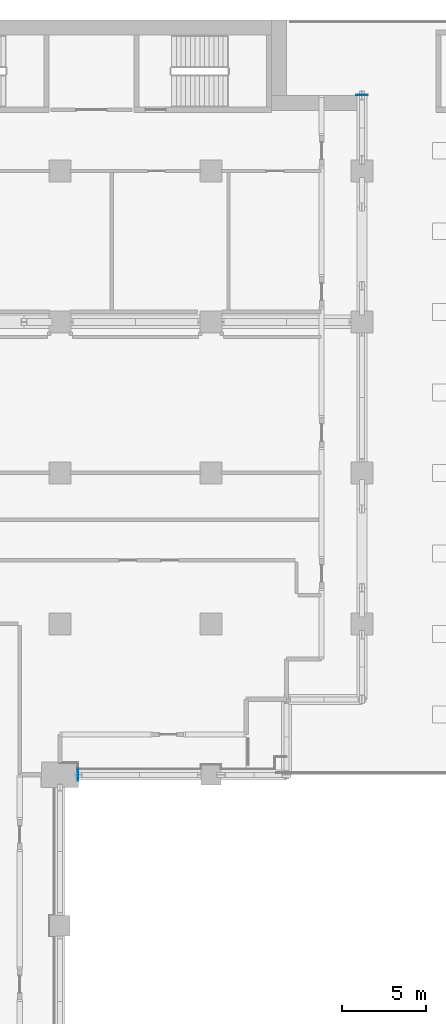
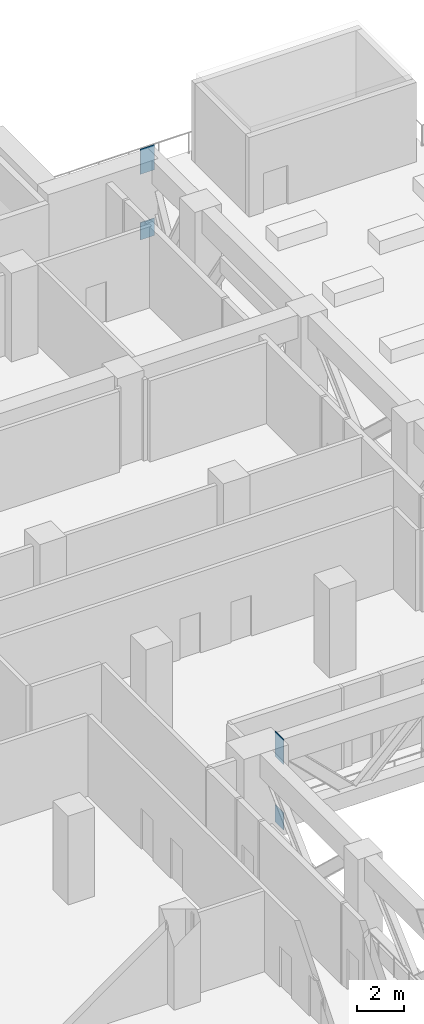
# One storey, part 17 of 22: 4 discrete accessories.
"""IFC4 building model written with IfcOpenShell, lengths in metres."""

from ifc_helpers import new_model, si_unit, direction, frame, origin, origin_2d, place, context, subcontext, project, spatial, rectangle, extrude, material, layer, layer_set, type_object, element, save


model = new_model("IFC4")

# Units and contexts
model_context = context("Model", 3, precision=1e-05, world=origin(), true_north=direction((0.0, 1.0)))
body_context = subcontext(model_context, "Body", "Model", "MODEL_VIEW")
ifc_project = project(units=[si_unit("LENGTHUNIT", "METRE"), si_unit("AREAUNIT", "SQUARE_METRE"), si_unit("VOLUMEUNIT", "CUBIC_METRE"), si_unit("PLANEANGLEUNIT", "RADIAN"), si_unit("MASSUNIT", "GRAM", prefix="KILO")], contexts=[model_context])

# Site, building, storey
site_placement = place(None, origin())
site = spatial("IfcSite", under=ifc_project, at=site_placement, CompositionType="ELEMENT")
building_placement = place(site_placement, origin())
building = spatial("IfcBuilding", under=site, at=building_placement, Name="Hunhe Ridgeline Campus", CompositionType="ELEMENT")
storey_placement = place(building_placement, frame((0.0, 0.0, 129.199951171875)))
storey = spatial("IfcBuildingStorey", under=building, at=storey_placement, Name="L32", CompositionType="ELEMENT", Elevation=129.199951171875)

# Discrete accessories
ifc_material = material(Name="Steel Q420", Category="steel")
ifc_layer_1 = layer(ifc_material, 0.030029296875)
ifc_layer_set_1 = layer_set([ifc_layer_1], Name="Gusset plate 700x1300x30 Steel Q420")
discrete_accessory_type_1 = type_object("IfcDiscreteAccessoryType", Name="Gusset plate 700x1300x30 Steel Q420", PredefinedType="BRACKET", material=ifc_layer_set_1)
for number, where, z_axis, x_axis, name in (
    (1, (46.0849609375, 54.0, 3.35009765625), (0.0, 0.0, 1.0), (-1.0, 0.0, 0.0), "Gusset plate BT1 L32 35"),
    (2, (63.0, 94.514892578125, 3.35009765625), (0.0, 0.0, 1.0), (0.0, 1.0, 0.0), "Gusset plate BT1 L32 37"),
):
    element("IfcDiscreteAccessory", number, at=place(storey_placement, frame(where, z_axis=z_axis, x_axis=x_axis)), inside=storey, type_object=discrete_accessory_type_1, Name=name, PredefinedType="BRACKET", context=body_context, shape_type="SweptSolid", body=[
        extrude(rectangle(XDim=0.030029296875, YDim=0.699951171875, at=origin_2d()), origin(), (0.0, 0.0, 1.0), 1.300048828125),
    ])
ifc_layer_2 = layer(ifc_material, 0.030029296875)
ifc_layer_set_2 = layer_set([ifc_layer_2], Name="Gusset plate 700x900x30 Steel Q420")
discrete_accessory_type_2 = type_object("IfcDiscreteAccessoryType", Name="Gusset plate 700x900x30 Steel Q420", PredefinedType="BRACKET", material=ifc_layer_set_2)
for number, where, z_axis, x_axis, name in (
    (3, (46.0849609375, 54.0, -0.0498046875), (0.0, 0.0, 1.0), (-1.0, 0.0, 0.0), "Gusset plate BT1 L32 36"),
    (4, (63.0, 94.514892578125, -0.0498046875), (0.0, 0.0, 1.0), (0.0, 1.0, 0.0), "Gusset plate BT1 L32 38"),
):
    element("IfcDiscreteAccessory", number, at=place(storey_placement, frame(where, z_axis=z_axis, x_axis=x_axis)), inside=storey, type_object=discrete_accessory_type_2, Name=name, PredefinedType="BRACKET", context=body_context, shape_type="SweptSolid", body=[
        extrude(rectangle(XDim=0.030029296875, YDim=0.699951171875, at=origin_2d()), origin(), (0.0, 0.0, 1.0), 0.89990234375),
    ])

save(model, "model.ifc")
